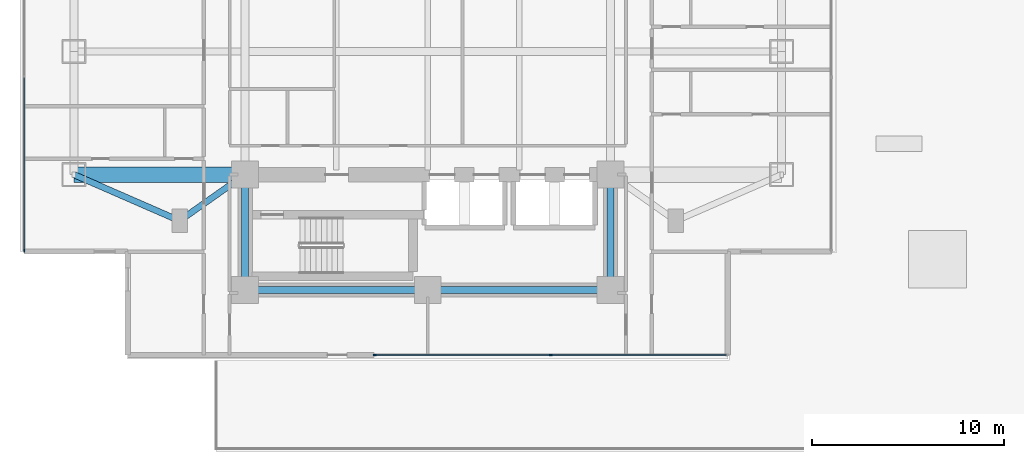
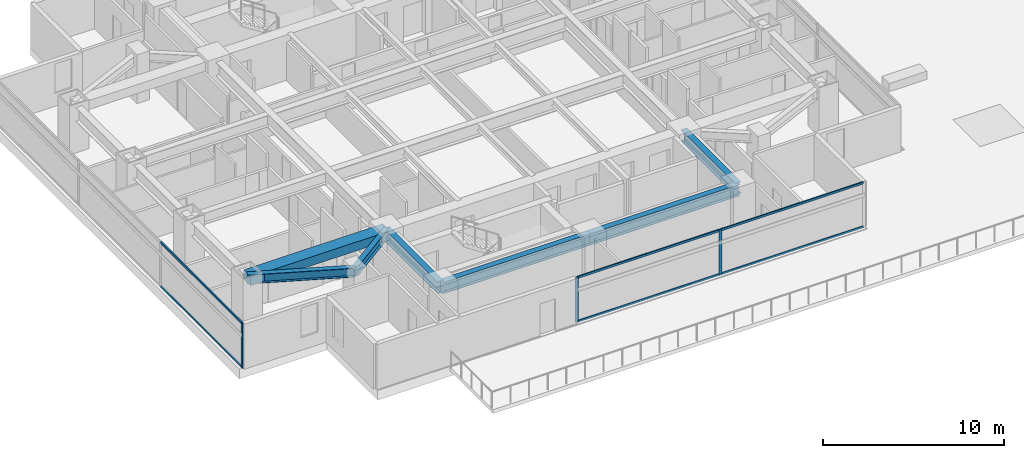
# One storey, part 2 of 26: 9 members, 7 beams, 2 elements without a shape of their own.
"""IFC4 building model written with IfcOpenShell, lengths in metres."""

import ifcopenshell
import ifcopenshell.guid

model = None  # the IFC model being written
_history = None  # IfcOwnerHistory: only IFC2X3 demands one
_inside = {}  # id of a spatial element -> (the spatial element, [elements in it])
_under = {}  # id of a project, library or spatial element -> (it, [spatial elements below it])
_declared = {}  # id of a project -> (the project, [libraries it declares])
_typed = {}  # id of a type object -> (the type object, [elements of that type])
_made_of = {}  # id of a material, layer set ... -> (it, [elements and type objects made of it])


def new_model(schema):
    """Start an empty IFC model of exactly this schema.

    Asked for "IFC4X3", IfcOpenShell would pick the latest addendum, in which some entities
    have other attributes; the version numbers below select the first issue.
    IFC2X3 requires an IfcOwnerHistory on every rooted entity: one is made here for all.
    """
    global model, _history
    if schema == "IFC4X3":
        model = ifcopenshell.file(schema_version=(4, 3, 0, 0))
    else:
        model = ifcopenshell.file(schema=schema)
    _inside.clear()
    _under.clear()
    _declared.clear()
    _typed.clear()
    _made_of.clear()
    _history = None
    if model.schema == "IFC2X3":
        org = make("IfcOrganization", Name="unknown")
        user = make(
            "IfcPersonAndOrganization",
            ThePerson=make("IfcPerson", FamilyName="unknown"),
            TheOrganization=org,
        )
        app = make(
            "IfcApplication",
            ApplicationDeveloper=org,
            Version="unknown",
            ApplicationFullName="unknown",
            ApplicationIdentifier="unknown",
        )
        _history = make(
            "IfcOwnerHistory",
            OwningUser=user,
            OwningApplication=app,
            ChangeAction="ADDED",
            CreationDate=0,
        )
    return model


def make(cls, **values):
    """One entity of the class cls with the attributes given. An attribute that is None is left unset."""
    return model.create_entity(
        cls, **{name: value for name, value in values.items() if value is not None}
    )


def rooted(cls, **values):
    """An entity with a GlobalId (a new one), such as an element, a storey or a relation."""
    return make(cls, GlobalId=ifcopenshell.guid.new(), OwnerHistory=_history, **values)


def si_unit(unit_type, name, prefix=None):
    """IfcSIUnit, for example si_unit("LENGTHUNIT", "METRE", prefix="MILLI")."""
    return make("IfcSIUnit", UnitType=unit_type, Prefix=prefix, Name=name)


def assignment(units):
    """IfcUnitAssignment: the units of a project."""
    return None if units is None else make("IfcUnitAssignment", Units=units)


def point(xyz):
    """IfcCartesianPoint."""
    return None if xyz is None else make("IfcCartesianPoint", Coordinates=xyz)


def direction(xyz):
    """IfcDirection."""
    return None if xyz is None else make("IfcDirection", DirectionRatios=xyz)


def frame(location, z_axis=None, x_axis=None):
    """IfcAxis2Placement3D, a coordinate frame: its origin and axes. An axis left out is left unset."""
    return make(
        "IfcAxis2Placement3D",
        Location=point(location),
        Axis=direction(z_axis),
        RefDirection=direction(x_axis),
    )


def frame_2d(location, x_axis=None):
    """IfcAxis2Placement2D, a coordinate frame in the plane: its origin and x axis."""
    return make(
        "IfcAxis2Placement2D", Location=point(location), RefDirection=direction(x_axis)
    )


def origin():
    """The frame at (0, 0, 0) with its axes left unset."""
    return frame((0.0, 0.0, 0.0))


def origin_2d():
    """The frame at (0, 0) in the plane with its x axis left unset."""
    return frame_2d((0.0, 0.0))


def place(relative_to, where):
    """IfcLocalPlacement: puts the frame where relative to a parent placement (None: the world)."""
    return make(
        "IfcLocalPlacement", PlacementRelTo=relative_to, RelativePlacement=where
    )


def context(
    kind, dimensions, precision=None, world=None, true_north=None, identifier=None
):
    """IfcGeometricRepresentationContext, for example the 3D "Model" context."""
    return make(
        "IfcGeometricRepresentationContext",
        ContextIdentifier=identifier,
        ContextType=kind,
        CoordinateSpaceDimension=dimensions,
        Precision=precision,
        WorldCoordinateSystem=world,
        TrueNorth=true_north,
    )


def subcontext(parent, identifier, kind, view, scale=None):
    """IfcGeometricRepresentationSubContext, for example "Body" below "Model"."""
    return make(
        "IfcGeometricRepresentationSubContext",
        ContextIdentifier=identifier,
        ContextType=kind,
        ParentContext=parent,
        TargetScale=scale,
        TargetView=view,
    )


def project(units=None, contexts=None):
    """IfcProject with its units and contexts."""
    return rooted(
        "IfcProject",
        Name="project",
        RepresentationContexts=contexts,
        UnitsInContext=assignment(units),
    )


def spatial(cls, under=None, at=None, **own):
    """A site, building, storey or space (cls), placed at a placement, below another one or the project."""
    s = rooted(cls, ObjectPlacement=at, **own)
    if under is not None:
        _under.setdefault(under.id(), (under, []))[1].append(s)
    return s


def profile(cls, at=None, kind="AREA", **sizes):
    """A parametric profile (cls). Its sizes go by their IFC names, for example OverallWidth=200.0."""
    return make(cls, ProfileType=kind, Position=at, **sizes)


def rectangle(**sizes):
    """IfcRectangleProfileDef."""
    return profile("IfcRectangleProfileDef", **sizes)


def i_section(**sizes):
    """IfcIShapeProfileDef."""
    return profile("IfcIShapeProfileDef", **sizes)


def extrude(swept, where, along, depth):
    """IfcExtrudedAreaSolid: the profile swept, set in the frame where, extruded along a direction by depth."""
    return make(
        "IfcExtrudedAreaSolid",
        SweptArea=swept,
        Position=where,
        ExtrudedDirection=direction(along),
        Depth=depth,
    )


def shape(context_of_items, identifier, shape_type, items):
    """IfcShapeRepresentation: the items that make up one representation, for example the "Body"."""
    return make(
        "IfcShapeRepresentation",
        ContextOfItems=context_of_items,
        RepresentationIdentifier=identifier,
        RepresentationType=shape_type,
        Items=items,
    )


def material(Name=None, Category=None):
    """IfcMaterial."""
    return make("IfcMaterial", Name=Name, Category=Category)


def material_profile(
    of_material, cross_section, Name=None, Category=None, Priority=None
):
    """IfcMaterialProfile: a cross section and its material."""
    return make(
        "IfcMaterialProfile",
        Name=Name,
        Material=of_material,
        Profile=cross_section,
        Priority=Priority,
        Category=Category,
    )


def profile_set(profiles, Name=None, composite=None):
    """IfcMaterialProfileSet."""
    return make(
        "IfcMaterialProfileSet",
        Name=Name,
        MaterialProfiles=profiles,
        CompositeProfile=composite,
    )


def made_of(thing, what):
    """Note that an element or type object is made of a material, layer set ...; save() writes the relation."""
    if what is not None:
        _made_of.setdefault(what.id(), (what, []))[1].append(thing)
    return thing


def type_object(cls, material=None, **own):
    """A type object (cls), such as IfcWallType, which elements share."""
    return made_of(rooted(cls, **own), material)


def element(
    cls,
    number,
    at=None,
    inside=None,
    cuts=None,
    type_object=None,
    material=None,
    context=None,
    identifier="Body",
    shape_type=None,
    held_by="IfcProductDefinitionShape",
    body=None,
    shapes=None,
    **own,
):
    """One element of the class cls, such as IfcWall. Its Tag is "e" and its number.

    at: its placement. inside: the storey or other place that contains it. cuts: it is an
    opening in that element (IfcRelVoidsElement). A single representation is given by context,
    identifier, shape_type and body (its items); several are given by shapes. held_by: the class
    of the entity that holds the representations. save() writes the other relations.
    """
    e = rooted(cls, Tag="e%d" % number, ObjectPlacement=at, **own)
    if body is not None:
        shapes = [shape(context, identifier, shape_type, body)]
    if shapes is not None:
        e.Representation = make(held_by, Representations=shapes)
    if inside is not None:
        _inside.setdefault(inside.id(), (inside, []))[1].append(e)
    if cuts is not None:
        rooted(
            "IfcRelVoidsElement", RelatingBuildingElement=cuts, RelatedOpeningElement=e
        )
    if type_object is not None:
        _typed.setdefault(type_object.id(), (type_object, []))[1].append(e)
    return made_of(e, material)


def aggregate(whole, parts):
    """IfcRelAggregates: a whole, such as a stair, and the parts it consists of."""
    return rooted("IfcRelAggregates", RelatingObject=whole, RelatedObjects=parts)


def save(model, path):
    """Write the relations noted so far, then the file.

    IfcRelAggregates (storeys below a building ...), IfcRelContainedInSpatialStructure (elements
    in a storey), IfcRelDefinesByType, IfcRelAssociatesMaterial and IfcRelDeclares: one each for
    every whole, place, type object, material and project.
    """
    for whole, parts in _under.values():
        aggregate(whole, parts)
    for where, things in _inside.values():
        rooted(
            "IfcRelContainedInSpatialStructure",
            RelatedElements=things,
            RelatingStructure=where,
        )
    for kind, things in _typed.values():
        rooted("IfcRelDefinesByType", RelatedObjects=things, RelatingType=kind)
    for what, things in _made_of.values():
        rooted("IfcRelAssociatesMaterial", RelatedObjects=things, RelatingMaterial=what)
    for by, libraries in _declared.values():
        rooted("IfcRelDeclares", RelatingContext=by, RelatedDefinitions=libraries)
    model.write(path)


model = new_model("IFC4")

# Units and contexts
model_context = context("Model", 3, precision=1e-05, world=origin(), true_north=direction((0.0, 1.0)))
body_context = subcontext(model_context, "Body", "Model", "MODEL_VIEW")
ifc_project = project(units=[si_unit("LENGTHUNIT", "METRE"), si_unit("AREAUNIT", "SQUARE_METRE"), si_unit("VOLUMEUNIT", "CUBIC_METRE"), si_unit("PLANEANGLEUNIT", "RADIAN"), si_unit("MASSUNIT", "GRAM", prefix="KILO")], contexts=[model_context])

# Site, building, storey
site_placement = place(None, origin())
site = spatial("IfcSite", under=ifc_project, at=site_placement, CompositionType="ELEMENT")
building_placement = place(site_placement, origin())
building = spatial("IfcBuilding", under=site, at=building_placement, Name="Mirazonda Arch Towers", CompositionType="ELEMENT")
storey_placement = place(building_placement, frame((0.0, 0.0, 22.39990234375)))
storey = spatial("IfcBuildingStorey", under=building, at=storey_placement, Name="L05", CompositionType="ELEMENT", Elevation=22.39990234375)

# Beams
ifc_material_1 = material(Name="Steel ASTM A992 Grade 50", Category="steel")
ifc_material_profile_1 = material_profile(ifc_material_1, i_section(OverallWidth=0.324951171875, OverallDepth=0.615966796875, WebThickness=0.013916015625, FlangeThickness=0.021484375, at=origin_2d()), Name="W24X117")
ifc_profile_set_1 = profile_set([ifc_material_profile_1], Name="Steel ASTM A992 Grade 50")
beam_type_1 = type_object("IfcBeamType", Name="BM-INT-W24X117", PredefinedType="BEAM", material=ifc_profile_set_1)
beam_1_placement = place(storey_placement, frame((7.60009765625, 16.0, 2.752197265625), z_axis=(0.816971114901, 0.576678591087, 0.0), x_axis=(-0.576678591087, 0.816971114901, 0.0)))
element("IfcBeam", 1, at=beam_1_placement, inside=storey, type_object=beam_type_1, Name="L05 Floor Beam BM-T1-L05-PL-SW1", PredefinedType="BEAM", context=body_context, shape_type="SweptSolid", body=[
    extrude(i_section(OverallWidth=0.324951171875, OverallDepth=0.615966796875, WebThickness=0.013916015625, FlangeThickness=0.021484375, at=origin_2d()), origin(), (0.0, 0.0, 1.0), 4.16162109375),
])
beam_2_placement = place(storey_placement, frame((7.60009765625, 16.0, 2.752197265625), z_axis=(-0.916545343703, 0.399930785183, 0.0), x_axis=(-0.399930785183, -0.916545343703, 0.0)))
element("IfcBeam", 2, at=beam_2_placement, inside=storey, type_object=beam_type_1, Name="L05 Floor Beam BM-T1-L05-PL-SW2", PredefinedType="BEAM", context=body_context, shape_type="SweptSolid", body=[
    extrude(i_section(OverallWidth=0.324951171875, OverallDepth=0.615966796875, WebThickness=0.013916015625, FlangeThickness=0.021484375, at=origin_2d()), origin(), (0.0, 0.0, 1.0), 6.000732421875),
])
ifc_material_profile_2 = material_profile(ifc_material_1, i_section(OverallWidth=0.381103515625, OverallDepth=0.77294921875, WebThickness=0.0166015625, FlangeThickness=0.027099609375, at=origin_2d()), Name="W30X173")
ifc_profile_set_2 = profile_set([ifc_material_profile_2], Name="Steel ASTM A992 Grade 50")
beam_type_2 = type_object("IfcBeamType", Name="BM-INT-W30X173", PredefinedType="USERDEFINED", material=ifc_profile_set_2)
for number, where, z_axis, x_axis, name in (
    (3, (11.0, 12.39990234375, 2.673583984375), (1.0, 0.0, 0.0), (0.0, 1.0, 0.0), "L05 Floor Beam BM-T1-L05-CS1"),
    (4, (20.5, 12.39990234375, 2.673583984375), (1.0, 0.0, 0.0), (0.0, 1.0, 0.0), "L05 Floor Beam BM-T1-L05-CS2"),
):
    element("IfcBeam", number, at=place(storey_placement, frame(where, z_axis=z_axis, x_axis=x_axis)), inside=storey, type_object=beam_type_2, Name=name, ObjectType="GIRDER", PredefinedType="USERDEFINED", context=body_context, shape_type="SweptSolid", body=[
        extrude(i_section(OverallWidth=0.381103515625, OverallDepth=0.77294921875, WebThickness=0.0166015625, FlangeThickness=0.027099609375, at=origin_2d()), origin(), (0.0, 0.0, 1.0), 9.5),
    ])
for number, where, z_axis, x_axis, name in (
    (5, (11.0, 12.39990234375, 2.673583984375), (0.0, 1.0, 0.0), (-1.0, 0.0, 0.0), "L05 Floor Beam BM-T1-L05-CSW"),
    (6, (30.0, 12.39990234375, 2.673583984375), (0.0, 1.0, 0.0), (-1.0, 0.0, 0.0), "L05 Floor Beam BM-T1-L05-CSE"),
):
    element("IfcBeam", number, at=place(storey_placement, frame(where, z_axis=z_axis, x_axis=x_axis)), inside=storey, type_object=beam_type_2, Name=name, ObjectType="GIRDER", PredefinedType="USERDEFINED", context=body_context, shape_type="SweptSolid", body=[
        extrude(i_section(OverallWidth=0.381103515625, OverallDepth=0.77294921875, WebThickness=0.0166015625, FlangeThickness=0.027099609375, at=origin_2d()), origin(), (0.0, 0.0, 1.0), 6.0),
    ])
ifc_material_2 = material(Name="Concrete C60/75", Category="concrete")
ifc_material_profile_3 = material_profile(ifc_material_2, rectangle(XDim=0.800048828125, YDim=0.60009765625, at=origin_2d()), Name="RCCB800x600")
ifc_profile_set_3 = profile_set([ifc_material_profile_3], Name="Concrete C60/75")
beam_type_3 = type_object("IfcBeamType", Name="CB-INT-RCCB800x600", PredefinedType="SPANDREL", material=ifc_profile_set_3)
beam_3_placement = place(storey_placement, frame((2.10009765625, 18.39990234375, 2.760009765625), z_axis=(1.0, 0.0, 0.0), x_axis=(0.0, 1.0, 0.0)))
element("IfcBeam", 7, at=beam_3_placement, inside=storey, type_object=beam_type_3, Name="L05 Floor Beam CBC-T1-L05-SW", PredefinedType="SPANDREL", context=body_context, shape_type="SweptSolid", body=[
    extrude(rectangle(XDim=0.800048828125, YDim=0.60009765625, at=origin_2d()), origin(), (0.0, 0.0, 1.0), 8.89990234375),
])

# Curtain wall, members
ifc_material_3 = material(Name="Anodised Aluminium and Low-E Glass", Category="aluminium")
curtain_wall_type = type_object("IfcCurtainWallType", Name="CW-HTL-UNIT", PredefinedType="NOTDEFINED", material=ifc_material_3)
curtain_wall_1_placement = place(storey_placement, origin())
curtain_wall_1 = element("IfcCurtainWall", 8, at=curtain_wall_1_placement, inside=storey, type_object=curtain_wall_type, Name="L05 Curtain Wall CW-L05-T1-S", PredefinedType="NOTDEFINED")
ifc_material_4 = material(Name="Anodised Aluminium Alloy", Category="aluminium")
ifc_material_profile_4 = material_profile(ifc_material_4, rectangle(XDim=0.074951171875, YDim=0.1650390625, at=origin_2d()), Name="ALU-MULL-75x165")
ifc_profile_set_4 = profile_set([ifc_material_profile_4], Name="Anodised Aluminium Alloy")
member_type_1 = type_object("IfcMemberType", Name="MULL-CW-HTL-UNIT", PredefinedType="MULLION", material=ifc_profile_set_4)
member_1_placement = place(storey_placement, frame((26.89990234375, 9.02001953125, 0.0), z_axis=(0.0, 0.0, 1.0), x_axis=(0.0, -1.0, 0.0)))
member_1 = element("IfcMember", 9, at=member_1_placement, type_object=member_type_1, Name="CW-112 mullion 2", PredefinedType="MULLION", context=body_context, shape_type="SweptSolid", body=[
    extrude(rectangle(XDim=0.074951171875, YDim=0.1650390625, at=origin_2d()), origin(), (0.0, 0.0, 1.0), 3.0400390625),
])
member_2_placement = place(storey_placement, frame((17.737548828125, 9.02001953125, 0.0), z_axis=(0.0, 0.0, 1.0), x_axis=(0.0, -1.0, 0.0)))
member_2 = element("IfcMember", 10, at=member_2_placement, type_object=member_type_1, Name="CW-112 mullion 3", PredefinedType="MULLION", context=body_context, shape_type="SweptSolid", body=[
    extrude(rectangle(XDim=0.074951171875, YDim=0.1650390625, at=origin_2d()), origin(), (0.0, 0.0, 1.0), 3.0400390625),
])

# Curtain wall, member
curtain_wall_2_placement = place(storey_placement, origin())
curtain_wall_2 = element("IfcCurtainWall", 11, at=curtain_wall_2_placement, inside=storey, type_object=curtain_wall_type, Name="L05 T1 W Facade CW-L05-T1-W", PredefinedType="NOTDEFINED")
member_3_placement = place(storey_placement, frame((-0.47998046875, 14.4375, 0.0), z_axis=(0.0, 0.0, 1.0), x_axis=(1.0, 0.0, 0.0)))
member_3 = element("IfcMember", 12, at=member_3_placement, type_object=member_type_1, Name="CW-112 mullion 4", PredefinedType="MULLION", context=body_context, shape_type="SweptSolid", body=[
    extrude(rectangle(XDim=0.074951171875, YDim=0.1650390625, at=origin_2d()), origin(), (0.0, 0.0, 1.0), 3.0400390625),
])

# Member
ifc_material_profile_5 = material_profile(ifc_material_4, rectangle(XDim=0.074951171875, YDim=0.14501953125, at=origin_2d()), Name="ALU-TRAN-75x145")
ifc_profile_set_5 = profile_set([ifc_material_profile_5], Name="Anodised Aluminium Alloy")
member_type_2 = type_object("IfcMemberType", Name="TRAN-CW-HTL-UNIT", PredefinedType="USERDEFINED", material=ifc_profile_set_5)
member_4_placement = place(storey_placement, frame((36.02490234375, 9.02001953125, 0.03759765625), z_axis=(-1.0, 0.0, 0.0), x_axis=(0.0, -1.0, 0.0)))
member_4 = element("IfcMember", 13, at=member_4_placement, type_object=member_type_2, Name="CW-112 transom 1.1", ObjectType="TRANSOM", PredefinedType="USERDEFINED", context=body_context, shape_type="SweptSolid", body=[
    extrude(rectangle(XDim=0.074951171875, YDim=0.14501953125, at=origin_2d()), origin(), (0.0, 0.0, 1.0), 9.08740234375),
])

member_5_placement = place(storey_placement, frame((36.02490234375, 9.02001953125, 3.002685546875), z_axis=(-1.0, 0.0, 0.0), x_axis=(0.0, -1.0, 0.0)))
member_5 = element("IfcMember", 14, at=member_5_placement, type_object=member_type_2, Name="CW-112 transom 1.2", ObjectType="TRANSOM", PredefinedType="USERDEFINED", context=body_context, shape_type="SweptSolid", body=[
    extrude(rectangle(XDim=0.074951171875, YDim=0.14501953125, at=origin_2d()), origin(), (0.0, 0.0, 1.0), 9.08740234375),
])

member_6_placement = place(storey_placement, frame((26.862548828125, 9.02001953125, 0.03759765625), z_axis=(-1.0, 0.0, 0.0), x_axis=(0.0, -1.0, 0.0)))
member_6 = element("IfcMember", 15, at=member_6_placement, type_object=member_type_2, Name="CW-112 transom 2.1", ObjectType="TRANSOM", PredefinedType="USERDEFINED", context=body_context, shape_type="SweptSolid", body=[
    extrude(rectangle(XDim=0.074951171875, YDim=0.14501953125, at=origin_2d()), origin(), (0.0, 0.0, 1.0), 9.087646484375),
])

member_7_placement = place(storey_placement, frame((26.862548828125, 9.02001953125, 3.002685546875), z_axis=(-1.0, 0.0, 0.0), x_axis=(0.0, -1.0, 0.0)))
member_7 = element("IfcMember", 16, at=member_7_placement, type_object=member_type_2, Name="CW-112 transom 2.2", ObjectType="TRANSOM", PredefinedType="USERDEFINED", context=body_context, shape_type="SweptSolid", body=[
    extrude(rectangle(XDim=0.074951171875, YDim=0.14501953125, at=origin_2d()), origin(), (0.0, 0.0, 1.0), 9.087646484375),
])

aggregate(curtain_wall_1, [member_1, member_2, member_4, member_5, member_6, member_7])

member_8_placement = place(storey_placement, frame((-0.47998046875, 23.42919921875, 0.03759765625), z_axis=(0.0, -1.0, 0.0), x_axis=(1.0, 0.0, 0.0)))
member_8 = element("IfcMember", 17, at=member_8_placement, type_object=member_type_2, Name="CW-112 transom 3.1", ObjectType="TRANSOM", PredefinedType="USERDEFINED", context=body_context, shape_type="SweptSolid", body=[
    extrude(rectangle(XDim=0.074951171875, YDim=0.14501953125, at=origin_2d()), origin(), (0.0, 0.0, 1.0), 8.9541015625),
])

member_9_placement = place(storey_placement, frame((-0.47998046875, 23.42919921875, 3.002685546875), z_axis=(0.0, -1.0, 0.0), x_axis=(1.0, 0.0, 0.0)))
member_9 = element("IfcMember", 18, at=member_9_placement, type_object=member_type_2, Name="CW-112 transom 3.2", ObjectType="TRANSOM", PredefinedType="USERDEFINED", context=body_context, shape_type="SweptSolid", body=[
    extrude(rectangle(XDim=0.074951171875, YDim=0.14501953125, at=origin_2d()), origin(), (0.0, 0.0, 1.0), 8.9541015625),
])

aggregate(curtain_wall_2, [member_3, member_8, member_9])

save(model, "model.ifc")
